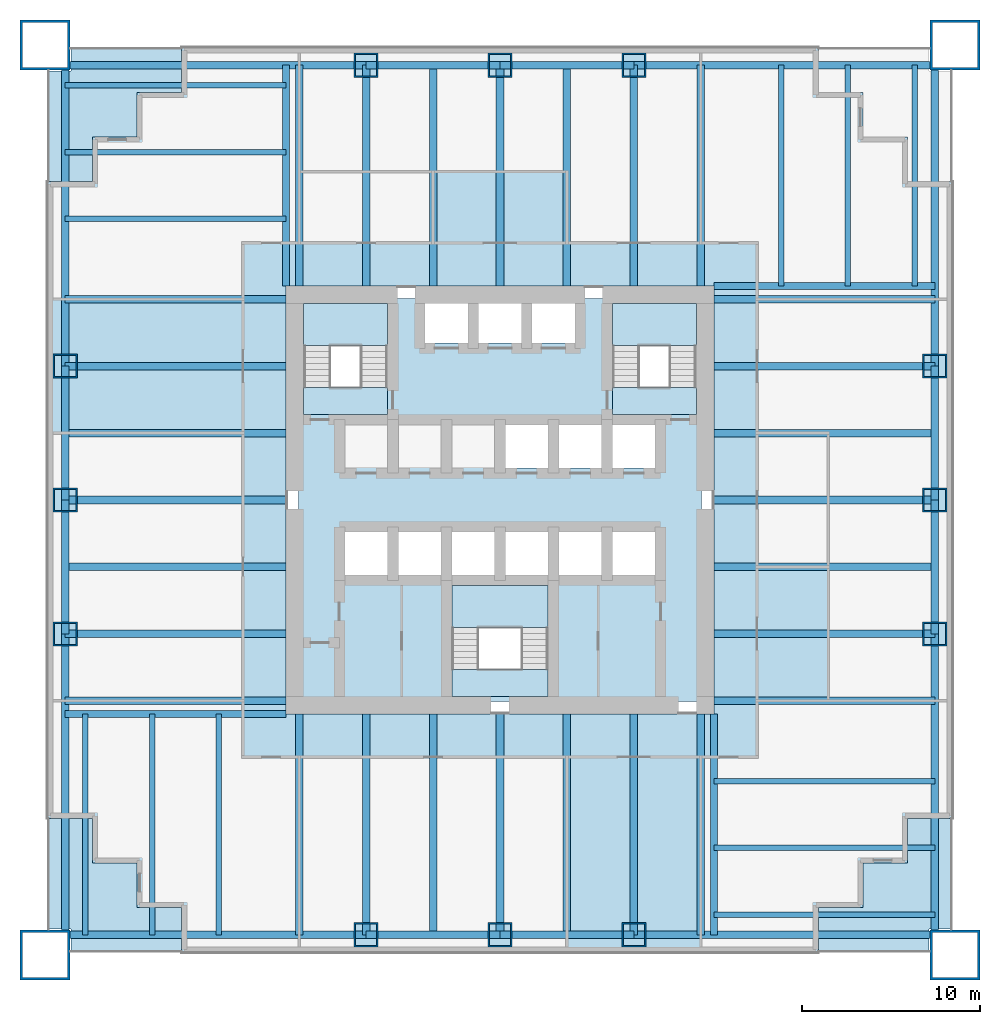
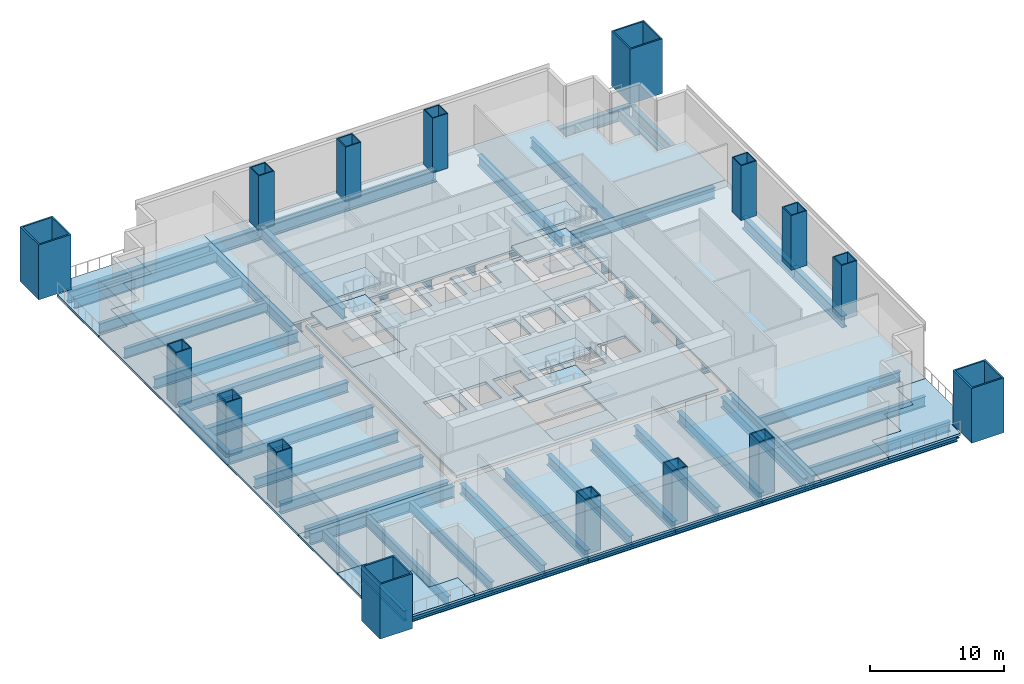
# One storey, part 1 of 6: 60 beams, 20 slabs, 16 columns, 3 elements without a shape of their own.
"""IFC4 building model written with IfcOpenShell, lengths in metres."""

from ifc_helpers import new_model, si_unit, direction, frame, origin, origin_2d, place, context, subcontext, project, spatial, polyline, hollow_rectangle, i_section, outline, extrude, material, layer, layer_set, material_profile, profile_set, type_object, element, aggregate, save


model = new_model("IFC4")

# Units and contexts
model_context = context("Model", 3, precision=1e-05, world=origin(), true_north=direction((0.0, 1.0)))
body_context = subcontext(model_context, "Body", "Model", "MODEL_VIEW")
ifc_project = project(units=[si_unit("LENGTHUNIT", "METRE"), si_unit("AREAUNIT", "SQUARE_METRE"), si_unit("VOLUMEUNIT", "CUBIC_METRE"), si_unit("PLANEANGLEUNIT", "RADIAN"), si_unit("MASSUNIT", "GRAM", prefix="KILO")], contexts=[model_context])

# Site, building, storey
site_placement = place(None, origin())
site = spatial("IfcSite", under=ifc_project, at=site_placement, CompositionType="ELEMENT")
building_placement = place(site_placement, origin())
building = spatial("IfcBuilding", under=site, at=building_placement, Name="Tarangal Relay Tower", CompositionType="ELEMENT")
storey_placement = place(building_placement, frame((0.0, 0.0, 53.39990234375)))
storey = spatial("IfcBuildingStorey", under=building, at=storey_placement, Name="L10", CompositionType="ELEMENT", Elevation=53.39990234375)

# Columns
ifc_material_1 = material(Name="Steel ASTM A572 Grade 42", Category="steel")
ifc_material_profile_1 = material_profile(ifc_material_1, hollow_rectangle(XDim=2.800048828125, YDim=2.800048828125, WallThickness=0.139892578125, at=origin_2d()), Name="BOX2800X2800X140")
ifc_profile_set_1 = profile_set([ifc_material_profile_1], Name="Steel ASTM A572 Grade 42")
column_type_1 = type_object("IfcColumnType", Name="Mega column BOX2800X2800X140", PredefinedType="COLUMN", material=ifc_profile_set_1)
for number, where, z_axis, x_axis, name in (
    (1, (25.5, 25.5, 0.0), (0.0, 0.0, 1.0), (1.0, 0.0, 0.0), "Mega column MC1 NE L10"),
    (2, (25.5, -25.5, 0.0), (0.0, 0.0, 1.0), (1.0, 0.0, 0.0), "Mega column MC1 SE L10"),
    (3, (-25.5, -25.5, 0.0), (0.0, 0.0, 1.0), (1.0, 0.0, 0.0), "Mega column MC1 SW L10"),
    (4, (-25.5, 25.5, 0.0), (0.0, 0.0, 1.0), (1.0, 0.0, 0.0), "Mega column MC1 NW L10"),
):
    element("IfcColumn", number, at=place(storey_placement, frame(where, z_axis=z_axis, x_axis=x_axis)), inside=storey, type_object=column_type_1, Name=name, PredefinedType="COLUMN", context=body_context, shape_type="SweptSolid", body=[
        extrude(hollow_rectangle(XDim=2.800048828125, YDim=2.800048828125, WallThickness=0.139892578125, at=origin_2d()), origin(), (0.0, 0.0, 1.0), 5.0),
    ])
ifc_material_2 = material(Name="Steel ASTM A572 Grade 50", Category="steel")
ifc_material_profile_2 = material_profile(ifc_material_2, hollow_rectangle(XDim=1.35009765625, YDim=1.35009765625, WallThickness=0.0849609375, at=origin_2d()), Name="BOX1350X1350X85")
ifc_profile_set_2 = profile_set([ifc_material_profile_2], Name="Steel ASTM A572 Grade 50")
column_type_2 = type_object("IfcColumnType", Name="Perimeter column BOX1350X1350X85", PredefinedType="COLUMN", material=ifc_profile_set_2)
for number, where, z_axis, x_axis, name in (
    (5, (-7.5, 24.364990234375, 0.0), (0.0, 0.0, 1.0), (1.0, 0.0, 0.0), "Perimeter column PC2 N L10"),
    (6, (0.0, 24.364990234375, 0.0), (0.0, 0.0, 1.0), (1.0, 0.0, 0.0), "Perimeter column PC2 N L10"),
    (7, (7.5, 24.364990234375, 0.0), (0.0, 0.0, 1.0), (1.0, 0.0, 0.0), "Perimeter column PC2 N L10"),
    (8, (24.364990234375, 7.5, 0.0), (0.0, 0.0, 1.0), (1.0, 0.0, 0.0), "Perimeter column PC2 E L10"),
    (9, (24.364990234375, 0.0, 0.0), (0.0, 0.0, 1.0), (1.0, 0.0, 0.0), "Perimeter column PC2 E L10"),
    (10, (24.364990234375, -7.5, 0.0), (0.0, 0.0, 1.0), (1.0, 0.0, 0.0), "Perimeter column PC2 E L10"),
    (11, (7.5, -24.364990234375, 0.0), (0.0, 0.0, 1.0), (1.0, 0.0, 0.0), "Perimeter column PC2 S L10"),
    (12, (0.0, -24.364990234375, 0.0), (0.0, 0.0, 1.0), (1.0, 0.0, 0.0), "Perimeter column PC2 S L10"),
    (13, (-7.5, -24.364990234375, 0.0), (0.0, 0.0, 1.0), (1.0, 0.0, 0.0), "Perimeter column PC2 S L10"),
    (14, (-24.364990234375, -7.5, 0.0), (0.0, 0.0, 1.0), (1.0, 0.0, 0.0), "Perimeter column PC2 W L10"),
    (15, (-24.364990234375, 0.0, 0.0), (0.0, 0.0, 1.0), (1.0, 0.0, 0.0), "Perimeter column PC2 W L10"),
    (16, (-24.364990234375, 7.5, 0.0), (0.0, 0.0, 1.0), (1.0, 0.0, 0.0), "Perimeter column PC2 W L10"),
):
    element("IfcColumn", number, at=place(storey_placement, frame(where, z_axis=z_axis, x_axis=x_axis)), inside=storey, type_object=column_type_2, Name=name, PredefinedType="COLUMN", context=body_context, shape_type="SweptSolid", body=[
        extrude(hollow_rectangle(XDim=1.35009765625, YDim=1.35009765625, WallThickness=0.0849609375, at=origin_2d()), origin(), (0.0, 0.0, 1.0), 5.0),
    ])

# Beams
ifc_material_3 = material(Name="Steel ASTM A992", Category="steel")
ifc_material_profile_3 = material_profile(ifc_material_3, i_section(OverallWidth=0.307373046875, OverallDepth=0.927001953125, WebThickness=0.019287109375, FlangeThickness=0.031982421875, at=origin_2d()), Name="W36X194")
ifc_profile_set_3 = profile_set([ifc_material_profile_3], Name="Steel ASTM A992")
beam_type_1 = type_object("IfcBeamType", Name="Corner beam W36X194", PredefinedType="JOIST", material=ifc_profile_set_3)
for number, where, z_axis, x_axis, name in (
    (17, (15.75, 12.0, -0.66357421875), (0.0, 1.0, 0.0), (-1.0, 0.0, 0.0), "Corner beam CB10 N L10"),
    (18, (19.5, 12.0, -0.66357421875), (0.0, 1.0, 0.0), (-1.0, 0.0, 0.0), "Corner beam CB10 N L10"),
    (19, (23.25, 12.0, -0.66357421875), (0.0, 1.0, 0.0), (-1.0, 0.0, 0.0), "Corner beam CB10 N L10"),
    (20, (12.0, -15.75, -0.66357421875), (1.0, 0.0, 0.0), (0.0, 1.0, 0.0), "Corner beam CB10 E L10"),
    (21, (12.0, -19.5, -0.66357421875), (1.0, 0.0, 0.0), (0.0, 1.0, 0.0), "Corner beam CB10 E L10"),
    (22, (12.0, -23.25, -0.66357421875), (1.0, 0.0, 0.0), (0.0, 1.0, 0.0), "Corner beam CB10 E L10"),
    (23, (-15.75, -12.0, -0.66357421875), (0.0, -1.0, 0.0), (1.0, 0.0, 0.0), "Corner beam CB10 S L10"),
    (24, (-19.5, -12.0, -0.66357421875), (0.0, -1.0, 0.0), (1.0, 0.0, 0.0), "Corner beam CB10 S L10"),
    (25, (-23.25, -12.0, -0.66357421875), (0.0, -1.0, 0.0), (1.0, 0.0, 0.0), "Corner beam CB10 S L10"),
    (26, (-12.0, 15.75, -0.66357421875), (-1.0, 0.0, 0.0), (0.0, -1.0, 0.0), "Corner beam CB10 W L10"),
    (27, (-12.0, 19.5, -0.66357421875), (-1.0, 0.0, 0.0), (0.0, -1.0, 0.0), "Corner beam CB10 W L10"),
    (28, (-12.0, 23.25, -0.66357421875), (-1.0, 0.0, 0.0), (0.0, -1.0, 0.0), "Corner beam CB10 W L10"),
):
    element("IfcBeam", number, at=place(storey_placement, frame(where, z_axis=z_axis, x_axis=x_axis)), inside=storey, type_object=beam_type_1, Name=name, PredefinedType="JOIST", context=body_context, shape_type="SweptSolid", body=[
        extrude(i_section(OverallWidth=0.307373046875, OverallDepth=0.927001953125, WebThickness=0.019287109375, FlangeThickness=0.031982421875, at=origin_2d()), origin(), (0.0, 0.0, 1.0), 12.364990234375),
    ])
ifc_material_profile_4 = material_profile(ifc_material_3, i_section(OverallWidth=0.40380859375, OverallDepth=1.036376953125, WebThickness=0.031005859375, FlangeThickness=0.0458984375, at=origin_2d()), Name="W40X331")
ifc_profile_set_4 = profile_set([ifc_material_profile_4], Name="Steel ASTM A992")
beam_type_2 = type_object("IfcBeamType", Name="Corner girder W40X331", PredefinedType="BEAM", material=ifc_profile_set_4)
for number, where, z_axis, x_axis, name in (
    (29, (12.0, 12.0, -0.718017578125), (1.0, 0.0, 0.0), (0.0, 1.0, 0.0), "Corner girder CG2 N L10"),
    (30, (12.0, -12.0, -0.718017578125), (0.0, -1.0, 0.0), (1.0, 0.0, 0.0), "Corner girder CG2 E L10"),
    (31, (-12.0, -12.0, -0.718017578125), (-1.0, 0.0, 0.0), (0.0, -1.0, 0.0), "Corner girder CG2 S L10"),
    (32, (-12.0, 12.0, -0.718017578125), (0.0, 1.0, 0.0), (-1.0, 0.0, 0.0), "Corner girder CG2 W L10"),
):
    element("IfcBeam", number, at=place(storey_placement, frame(where, z_axis=z_axis, x_axis=x_axis)), inside=storey, type_object=beam_type_2, Name=name, PredefinedType="BEAM", context=body_context, shape_type="SweptSolid", body=[
        extrude(i_section(OverallWidth=0.40380859375, OverallDepth=1.036376953125, WebThickness=0.031005859375, FlangeThickness=0.0458984375, at=origin_2d()), origin(), (0.0, 0.0, 1.0), 12.364990234375),
    ])
ifc_material_profile_5 = material_profile(ifc_material_3, i_section(OverallWidth=0.42431640625, OverallDepth=1.09228515625, WebThickness=0.04541015625, FlangeThickness=0.08203125, at=origin_2d()), Name="W40X593")
ifc_profile_set_5 = profile_set([ifc_material_profile_5], Name="Steel ASTM A992")
beam_type_3 = type_object("IfcBeamType", Name="Edge girder W40X593", PredefinedType="SPANDREL", material=ifc_profile_set_5)
beam_1_placement = place(storey_placement, frame((-24.25, 24.364990234375, -0.74609375), z_axis=(1.0, 0.0, 0.0), x_axis=(0.0, 1.0, 0.0)))
element("IfcBeam", 33, at=beam_1_placement, inside=storey, type_object=beam_type_3, Name="Edge girder EG9 N L10", PredefinedType="SPANDREL", context=body_context, shape_type="SweptSolid", body=[
    extrude(i_section(OverallWidth=0.42431640625, OverallDepth=1.09228515625, WebThickness=0.04541015625, FlangeThickness=0.08203125, at=origin_2d()), origin(), (0.0, 0.0, 1.0), 16.75),
])
for number, where, z_axis, x_axis, name in (
    (34, (-7.5, 24.364990234375, -0.74609375), (1.0, 0.0, 0.0), (0.0, 1.0, 0.0), "Edge girder EG9 N L10"),
    (35, (0.0, 24.364990234375, -0.74609375), (1.0, 0.0, 0.0), (0.0, 1.0, 0.0), "Edge girder EG9 N L10"),
):
    element("IfcBeam", number, at=place(storey_placement, frame(where, z_axis=z_axis, x_axis=x_axis)), inside=storey, type_object=beam_type_3, Name=name, PredefinedType="SPANDREL", context=body_context, shape_type="SweptSolid", body=[
        extrude(i_section(OverallWidth=0.42431640625, OverallDepth=1.09228515625, WebThickness=0.04541015625, FlangeThickness=0.08203125, at=origin_2d()), origin(), (0.0, 0.0, 1.0), 7.5),
    ])
for number, where, z_axis, x_axis, name in (
    (36, (7.5, 24.364990234375, -0.74609375), (1.0, 0.0, 0.0), (0.0, 1.0, 0.0), "Edge girder EG9 N L10"),
    (37, (24.364990234375, 24.25, -0.74609375), (0.0, -1.0, 0.0), (1.0, 0.0, 0.0), "Edge girder EG9 E L10"),
):
    element("IfcBeam", number, at=place(storey_placement, frame(where, z_axis=z_axis, x_axis=x_axis)), inside=storey, type_object=beam_type_3, Name=name, PredefinedType="SPANDREL", context=body_context, shape_type="SweptSolid", body=[
        extrude(i_section(OverallWidth=0.42431640625, OverallDepth=1.09228515625, WebThickness=0.04541015625, FlangeThickness=0.08203125, at=origin_2d()), origin(), (0.0, 0.0, 1.0), 16.75),
    ])
for number, where, z_axis, x_axis, name in (
    (38, (24.364990234375, 7.5, -0.74609375), (0.0, -1.0, 0.0), (1.0, 0.0, 0.0), "Edge girder EG9 E L10"),
    (39, (24.364990234375, 0.0, -0.74609375), (0.0, -1.0, 0.0), (1.0, 0.0, 0.0), "Edge girder EG9 E L10"),
):
    element("IfcBeam", number, at=place(storey_placement, frame(where, z_axis=z_axis, x_axis=x_axis)), inside=storey, type_object=beam_type_3, Name=name, PredefinedType="SPANDREL", context=body_context, shape_type="SweptSolid", body=[
        extrude(i_section(OverallWidth=0.42431640625, OverallDepth=1.09228515625, WebThickness=0.04541015625, FlangeThickness=0.08203125, at=origin_2d()), origin(), (0.0, 0.0, 1.0), 7.5),
    ])
for number, where, z_axis, x_axis, name in (
    (40, (24.364990234375, -7.5, -0.74609375), (0.0, -1.0, 0.0), (1.0, 0.0, 0.0), "Edge girder EG9 E L10"),
    (41, (24.25, -24.364990234375, -0.74609375), (-1.0, 0.0, 0.0), (0.0, -1.0, 0.0), "Edge girder EG9 S L10"),
):
    element("IfcBeam", number, at=place(storey_placement, frame(where, z_axis=z_axis, x_axis=x_axis)), inside=storey, type_object=beam_type_3, Name=name, PredefinedType="SPANDREL", context=body_context, shape_type="SweptSolid", body=[
        extrude(i_section(OverallWidth=0.42431640625, OverallDepth=1.09228515625, WebThickness=0.04541015625, FlangeThickness=0.08203125, at=origin_2d()), origin(), (0.0, 0.0, 1.0), 16.75),
    ])
for number, where, z_axis, x_axis, name in (
    (42, (7.5, -24.364990234375, -0.74609375), (-1.0, 0.0, 0.0), (0.0, -1.0, 0.0), "Edge girder EG9 S L10"),
    (43, (0.0, -24.364990234375, -0.74609375), (-1.0, 0.0, 0.0), (0.0, -1.0, 0.0), "Edge girder EG9 S L10"),
):
    element("IfcBeam", number, at=place(storey_placement, frame(where, z_axis=z_axis, x_axis=x_axis)), inside=storey, type_object=beam_type_3, Name=name, PredefinedType="SPANDREL", context=body_context, shape_type="SweptSolid", body=[
        extrude(i_section(OverallWidth=0.42431640625, OverallDepth=1.09228515625, WebThickness=0.04541015625, FlangeThickness=0.08203125, at=origin_2d()), origin(), (0.0, 0.0, 1.0), 7.5),
    ])
for number, where, z_axis, x_axis, name in (
    (44, (-7.5, -24.364990234375, -0.74609375), (-1.0, 0.0, 0.0), (0.0, -1.0, 0.0), "Edge girder EG9 S L10"),
    (45, (-24.364990234375, -24.25, -0.74609375), (0.0, 1.0, 0.0), (-1.0, 0.0, 0.0), "Edge girder EG9 W L10"),
):
    element("IfcBeam", number, at=place(storey_placement, frame(where, z_axis=z_axis, x_axis=x_axis)), inside=storey, type_object=beam_type_3, Name=name, PredefinedType="SPANDREL", context=body_context, shape_type="SweptSolid", body=[
        extrude(i_section(OverallWidth=0.42431640625, OverallDepth=1.09228515625, WebThickness=0.04541015625, FlangeThickness=0.08203125, at=origin_2d()), origin(), (0.0, 0.0, 1.0), 16.75),
    ])
for number, where, z_axis, x_axis, name in (
    (46, (-24.364990234375, -7.5, -0.74609375), (0.0, 1.0, 0.0), (-1.0, 0.0, 0.0), "Edge girder EG9 W L10"),
    (47, (-24.364990234375, 0.0, -0.74609375), (0.0, 1.0, 0.0), (-1.0, 0.0, 0.0), "Edge girder EG9 W L10"),
):
    element("IfcBeam", number, at=place(storey_placement, frame(where, z_axis=z_axis, x_axis=x_axis)), inside=storey, type_object=beam_type_3, Name=name, PredefinedType="SPANDREL", context=body_context, shape_type="SweptSolid", body=[
        extrude(i_section(OverallWidth=0.42431640625, OverallDepth=1.09228515625, WebThickness=0.04541015625, FlangeThickness=0.08203125, at=origin_2d()), origin(), (0.0, 0.0, 1.0), 7.5),
    ])
beam_2_placement = place(storey_placement, frame((-24.364990234375, 7.5, -0.74609375), z_axis=(0.0, 1.0, 0.0), x_axis=(-1.0, 0.0, 0.0)))
element("IfcBeam", 48, at=beam_2_placement, inside=storey, type_object=beam_type_3, Name="Edge girder EG9 W L10", PredefinedType="SPANDREL", context=body_context, shape_type="SweptSolid", body=[
    extrude(i_section(OverallWidth=0.42431640625, OverallDepth=1.09228515625, WebThickness=0.04541015625, FlangeThickness=0.08203125, at=origin_2d()), origin(), (0.0, 0.0, 1.0), 16.75),
])
ifc_material_profile_6 = material_profile(ifc_material_3, i_section(OverallWidth=0.42431640625, OverallDepth=0.947509765625, WebThickness=0.02392578125, FlangeThickness=0.042724609375, at=origin_2d()), Name="W36X302")
ifc_profile_set_6 = profile_set([ifc_material_profile_6], Name="Steel ASTM A992")
beam_type_4 = type_object("IfcBeamType", Name="Floor beam W36X302", PredefinedType="BEAM", material=ifc_profile_set_6)
for number, where, z_axis, x_axis, name in (
    (49, (-11.25, 12.0, -0.673583984375), (0.0, 1.0, 0.0), (-1.0, 0.0, 0.0), "Floor beam RB10 N L10"),
    (50, (-7.5, 12.0, -0.673583984375), (0.0, 1.0, 0.0), (-1.0, 0.0, 0.0), "Floor beam RB10 N L10"),
    (51, (-3.75, 12.0, -0.673583984375), (0.0, 1.0, 0.0), (-1.0, 0.0, 0.0), "Floor beam RB10 N L10"),
    (52, (0.0, 12.0, -0.673583984375), (0.0, 1.0, 0.0), (-1.0, 0.0, 0.0), "Floor beam RB10 N L10"),
    (53, (3.75, 12.0, -0.673583984375), (0.0, 1.0, 0.0), (-1.0, 0.0, 0.0), "Floor beam RB10 N L10"),
    (54, (7.5, 12.0, -0.673583984375), (0.0, 1.0, 0.0), (-1.0, 0.0, 0.0), "Floor beam RB10 N L10"),
    (55, (11.25, 12.0, -0.673583984375), (0.0, 1.0, 0.0), (-1.0, 0.0, 0.0), "Floor beam RB10 N L10"),
    (56, (12.0, 11.25, -0.673583984375), (1.0, 0.0, 0.0), (0.0, 1.0, 0.0), "Floor beam RB10 E L10"),
    (57, (12.0, 7.5, -0.673583984375), (1.0, 0.0, 0.0), (0.0, 1.0, 0.0), "Floor beam RB10 E L10"),
    (58, (12.0, 3.75, -0.673583984375), (1.0, 0.0, 0.0), (0.0, 1.0, 0.0), "Floor beam RB10 E L10"),
    (59, (12.0, 0.0, -0.673583984375), (1.0, 0.0, 0.0), (0.0, 1.0, 0.0), "Floor beam RB10 E L10"),
    (60, (12.0, -3.75, -0.673583984375), (1.0, 0.0, 0.0), (0.0, 1.0, 0.0), "Floor beam RB10 E L10"),
    (61, (12.0, -7.5, -0.673583984375), (1.0, 0.0, 0.0), (0.0, 1.0, 0.0), "Floor beam RB10 E L10"),
    (62, (12.0, -11.25, -0.673583984375), (1.0, 0.0, 0.0), (0.0, 1.0, 0.0), "Floor beam RB10 E L10"),
    (63, (11.25, -12.0, -0.673583984375), (0.0, -1.0, 0.0), (1.0, 0.0, 0.0), "Floor beam RB10 S L10"),
    (64, (7.5, -12.0, -0.673583984375), (0.0, -1.0, 0.0), (1.0, 0.0, 0.0), "Floor beam RB10 S L10"),
    (65, (3.75, -12.0, -0.673583984375), (0.0, -1.0, 0.0), (1.0, 0.0, 0.0), "Floor beam RB10 S L10"),
    (66, (0.0, -12.0, -0.673583984375), (0.0, -1.0, 0.0), (1.0, 0.0, 0.0), "Floor beam RB10 S L10"),
    (67, (-3.75, -12.0, -0.673583984375), (0.0, -1.0, 0.0), (1.0, 0.0, 0.0), "Floor beam RB10 S L10"),
    (68, (-7.5, -12.0, -0.673583984375), (0.0, -1.0, 0.0), (1.0, 0.0, 0.0), "Floor beam RB10 S L10"),
    (69, (-11.25, -12.0, -0.673583984375), (0.0, -1.0, 0.0), (1.0, 0.0, 0.0), "Floor beam RB10 S L10"),
    (70, (-12.0, -11.25, -0.673583984375), (-1.0, 0.0, 0.0), (0.0, -1.0, 0.0), "Floor beam RB10 W L10"),
    (71, (-12.0, -7.5, -0.673583984375), (-1.0, 0.0, 0.0), (0.0, -1.0, 0.0), "Floor beam RB10 W L10"),
    (72, (-12.0, -3.75, -0.673583984375), (-1.0, 0.0, 0.0), (0.0, -1.0, 0.0), "Floor beam RB10 W L10"),
    (73, (-12.0, 0.0, -0.673583984375), (-1.0, 0.0, 0.0), (0.0, -1.0, 0.0), "Floor beam RB10 W L10"),
    (74, (-12.0, 3.75, -0.673583984375), (-1.0, 0.0, 0.0), (0.0, -1.0, 0.0), "Floor beam RB10 W L10"),
    (75, (-12.0, 7.5, -0.673583984375), (-1.0, 0.0, 0.0), (0.0, -1.0, 0.0), "Floor beam RB10 W L10"),
    (76, (-12.0, 11.25, -0.673583984375), (-1.0, 0.0, 0.0), (0.0, -1.0, 0.0), "Floor beam RB10 W L10"),
):
    element("IfcBeam", number, at=place(storey_placement, frame(where, z_axis=z_axis, x_axis=x_axis)), inside=storey, type_object=beam_type_4, Name=name, PredefinedType="BEAM", context=body_context, shape_type="SweptSolid", body=[
        extrude(i_section(OverallWidth=0.42431640625, OverallDepth=0.947509765625, WebThickness=0.02392578125, FlangeThickness=0.042724609375, at=origin_2d()), origin(), (0.0, 0.0, 1.0), 12.364990234375),
    ])

# Slabs
ifc_material_4 = material(Name="Concrete fc' 35 MPa", Category="concrete")
ifc_layer_1 = layer(ifc_material_4, 0.25)
ifc_layer_set_1 = layer_set([ifc_layer_1], Name="Core floor slab 250")
slab_type_1 = type_object("IfcSlabType", Name="Core floor slab 250", PredefinedType="FLOOR", material=ifc_layer_set_1)
slab_1_placement = place(storey_placement, frame((0.0, 0.0, -0.25)))
element("IfcSlab", 77, at=slab_1_placement, inside=storey, type_object=slab_type_1, Name="Core floor slab L10", PredefinedType="FLOOR", context=body_context, shape_type="SweptSolid", body=[
    extrude(outline(polyline([(11.300048828125, 11.300048828125), (11.300048828125, -11.300048828125), (-11.300048828125, -11.300048828125), (-11.300048828125, 11.300048828125), (-4.199951171875, 11.300048828125), (-4.199951171875, 8.800048828125), (-1.800048828125, 8.800048828125), (-1.800048828125, 11.300048828125), (-1.199951171875, 11.300048828125), (-1.199951171875, 8.800048828125), (1.199951171875, 8.800048828125), (1.199951171875, 11.300048828125), (1.800048828125, 11.300048828125), (1.800048828125, 8.800048828125), (4.199951171875, 8.800048828125), (4.199951171875, 11.300048828125), (11.300048828125, 11.300048828125)]), holes=[polyline([(2.699951171875, -4.800048828125), (-2.699951171875, -4.800048828125), (-2.699951171875, -11.0), (2.699951171875, -11.0), (2.699951171875, -4.800048828125)]), polyline([(-6.300048828125, -4.199951171875), (-6.300048828125, -1.800048828125), (-8.699951171875, -1.800048828125), (-8.699951171875, -4.199951171875), (-6.300048828125, -4.199951171875)]), polyline([(-3.300048828125, -4.199951171875), (-3.300048828125, -1.800048828125), (-5.699951171875, -1.800048828125), (-5.699951171875, -4.199951171875), (-3.300048828125, -4.199951171875)]), polyline([(-0.300048828125, -4.199951171875), (-0.300048828125, -1.800048828125), (-2.699951171875, -1.800048828125), (-2.699951171875, -4.199951171875), (-0.300048828125, -4.199951171875)]), polyline([(2.699951171875, 1.800048828125), (2.699951171875, 4.199951171875), (0.300048828125, 4.199951171875), (0.300048828125, 1.800048828125), (2.699951171875, 1.800048828125)]), polyline([(-6.300048828125, 4.800048828125), (-6.300048828125, 11.0), (-11.0, 11.0), (-11.0, 4.800048828125), (-6.300048828125, 4.800048828125)]), polyline([(2.699951171875, -4.199951171875), (2.699951171875, -1.800048828125), (0.300048828125, -1.800048828125), (0.300048828125, -4.199951171875), (2.699951171875, -4.199951171875)]), polyline([(5.699951171875, -4.199951171875), (5.699951171875, -1.800048828125), (3.300048828125, -1.800048828125), (3.300048828125, -4.199951171875), (5.699951171875, -4.199951171875)]), polyline([(8.699951171875, -4.199951171875), (8.699951171875, -1.800048828125), (6.300048828125, -1.800048828125), (6.300048828125, -4.199951171875), (8.699951171875, -4.199951171875)]), polyline([(5.699951171875, 1.800048828125), (5.699951171875, 4.199951171875), (3.300048828125, 4.199951171875), (3.300048828125, 1.800048828125), (5.699951171875, 1.800048828125)]), polyline([(8.699951171875, 1.800048828125), (8.699951171875, 4.199951171875), (6.300048828125, 4.199951171875), (6.300048828125, 1.800048828125), (8.699951171875, 1.800048828125)]), polyline([(11.0, 4.800048828125), (11.0, 11.0), (6.300048828125, 11.0), (6.300048828125, 4.800048828125), (11.0, 4.800048828125)])]), origin(), (0.0, 0.0, 1.0), 0.25),
])
ifc_layer_2 = layer(ifc_material_4, 0.199951171875)
ifc_layer_set_2 = layer_set([ifc_layer_2], Name="Floor slab 200")
slab_type_2 = type_object("IfcSlabType", Name="Floor slab 200", PredefinedType="FLOOR", material=ifc_layer_set_2)
slab_2_placement = place(storey_placement, frame((0.0, 0.0, -0.199951171875)))
element("IfcSlab", 78, at=slab_2_placement, inside=storey, type_object=slab_type_2, Name="Floor slab FS2 L10 north bay", PredefinedType="FLOOR", context=body_context, shape_type="SweptSolid", body=[
    extrude(outline(polyline([(17.85009765625, 25.35009765625), (17.85009765625, 22.85009765625), (20.35009765625, 22.85009765625), (20.35009765625, 20.35009765625), (22.85009765625, 20.35009765625), (22.85009765625, 17.85009765625), (25.35009765625, 17.85009765625), (25.35009765625, 12.0), (-12.0, 12.0), (-12.0, 25.35009765625), (17.85009765625, 25.35009765625)])), origin(), (0.0, 0.0, 1.0), 0.199951171875),
])
slab_3_placement = place(storey_placement, frame((0.0, 0.0, -0.199951171875)))
element("IfcSlab", 79, at=slab_3_placement, inside=storey, type_object=slab_type_2, Name="Floor slab FS2 L10 east bay", PredefinedType="FLOOR", context=body_context, shape_type="SweptSolid", body=[
    extrude(outline(polyline([(25.35009765625, -17.85009765625), (22.85009765625, -17.85009765625), (22.85009765625, -20.35009765625), (20.35009765625, -20.35009765625), (20.35009765625, -22.85009765625), (17.85009765625, -22.85009765625), (17.85009765625, -25.35009765625), (12.0, -25.35009765625), (12.0, 12.0), (25.35009765625, 12.0), (25.35009765625, -17.85009765625)])), origin(), (0.0, 0.0, 1.0), 0.199951171875),
])
slab_4_placement = place(storey_placement, frame((0.0, 0.0, -0.199951171875)))
element("IfcSlab", 80, at=slab_4_placement, inside=storey, type_object=slab_type_2, Name="Floor slab FS2 L10 south bay", PredefinedType="FLOOR", context=body_context, shape_type="SweptSolid", body=[
    extrude(outline(polyline([(-17.85009765625, -25.35009765625), (-17.85009765625, -22.85009765625), (-20.35009765625, -22.85009765625), (-20.35009765625, -20.35009765625), (-22.85009765625, -20.35009765625), (-22.85009765625, -17.85009765625), (-25.35009765625, -17.85009765625), (-25.35009765625, -12.0), (12.0, -12.0), (12.0, -25.35009765625), (-17.85009765625, -25.35009765625)])), origin(), (0.0, 0.0, 1.0), 0.199951171875),
])
slab_5_placement = place(storey_placement, frame((0.0, 0.0, -0.199951171875)))
element("IfcSlab", 81, at=slab_5_placement, inside=storey, type_object=slab_type_2, Name="Floor slab FS2 L10 west bay", PredefinedType="FLOOR", context=body_context, shape_type="SweptSolid", body=[
    extrude(outline(polyline([(-12.0, 25.35009765625), (-12.0, -12.0), (-25.35009765625, -12.0), (-25.35009765625, 17.85009765625), (-22.85009765625, 17.85009765625), (-22.85009765625, 20.35009765625), (-20.35009765625, 20.35009765625), (-20.35009765625, 22.85009765625), (-17.85009765625, 22.85009765625), (-17.85009765625, 25.35009765625), (-12.0, 25.35009765625)])), origin(), (0.0, 0.0, 1.0), 0.199951171875),
])

# Stair, slabs
ifc_material_5 = material(Name="Steel ASTM A992 stair flight", Category="steel")
stair_type = type_object("IfcStairType", Name="Core stair 1500", PredefinedType="HALF_TURN_STAIR", material=ifc_material_5)
stair_1_placement = place(storey_placement, origin())
stair_1 = element("IfcStair", 82, at=stair_1_placement, inside=storey, type_object=stair_type, Name="Stair ST-A L10", PredefinedType="HALF_TURN_STAIR")
ifc_layer_3 = layer(ifc_material_4, 0.199951171875)
ifc_layer_set_3 = layer_set([ifc_layer_3], Name="Stair landing 200")
slab_type_3 = type_object("IfcSlabType", Name="Stair landing 200", PredefinedType="LANDING", material=ifc_layer_set_3)
slab_6_placement = place(storey_placement, frame((0.0, 0.0, -0.199951171875)))
slab_6 = element("IfcSlab", 83, at=slab_6_placement, type_object=slab_type_3, Name="ST-A landing 1", PredefinedType="LANDING", context=body_context, shape_type="SweptSolid", body=[
    extrude(outline(polyline([(-11.0, 4.800048828125), (-6.300048828125, 4.800048828125), (-6.300048828125, 6.300048828125), (-11.0, 6.300048828125), (-11.0, 4.800048828125)])), origin(), (0.0, 0.0, 1.0), 0.199951171875),
])
slab_7_placement = place(storey_placement, frame((0.0, 0.0, 1.050048828125)))
slab_7 = element("IfcSlab", 84, at=slab_7_placement, type_object=slab_type_3, Name="ST-A landing 2", PredefinedType="LANDING", context=body_context, shape_type="SweptSolid", body=[
    extrude(outline(polyline([(-11.0, 8.64501953125), (-6.300048828125, 8.64501953125), (-6.300048828125, 11.0), (-11.0, 11.0), (-11.0, 8.64501953125)])), origin(), (0.0, 0.0, 1.0), 0.199951171875),
])
slab_8_placement = place(storey_placement, frame((0.0, 0.0, 2.300048828125)))
slab_8 = element("IfcSlab", 85, at=slab_8_placement, type_object=slab_type_3, Name="ST-A landing 3", PredefinedType="LANDING", context=body_context, shape_type="SweptSolid", body=[
    extrude(outline(polyline([(-11.0, 4.800048828125), (-6.300048828125, 4.800048828125), (-6.300048828125, 6.300048828125), (-11.0, 6.300048828125), (-11.0, 4.800048828125)])), origin(), (0.0, 0.0, 1.0), 0.199951171875),
])
slab_9_placement = place(storey_placement, frame((0.0, 0.0, 3.550048828125)))
slab_9 = element("IfcSlab", 86, at=slab_9_placement, type_object=slab_type_3, Name="ST-A landing 4", PredefinedType="LANDING", context=body_context, shape_type="SweptSolid", body=[
    extrude(outline(polyline([(-11.0, 8.64501953125), (-6.300048828125, 8.64501953125), (-6.300048828125, 11.0), (-11.0, 11.0), (-11.0, 8.64501953125)])), origin(), (0.0, 0.0, 1.0), 0.199951171875),
])
aggregate(stair_1, [slab_6, slab_7, slab_8, slab_9])

stair_2_placement = place(storey_placement, origin())
stair_2 = element("IfcStair", 87, at=stair_2_placement, inside=storey, type_object=stair_type, Name="Stair ST-B L10", PredefinedType="HALF_TURN_STAIR")
slab_10_placement = place(storey_placement, frame((0.0, 0.0, -0.199951171875)))
slab_10 = element("IfcSlab", 88, at=slab_10_placement, type_object=slab_type_3, Name="ST-B landing 1", PredefinedType="LANDING", context=body_context, shape_type="SweptSolid", body=[
    extrude(outline(polyline([(6.300048828125, 4.800048828125), (11.0, 4.800048828125), (11.0, 6.300048828125), (6.300048828125, 6.300048828125), (6.300048828125, 4.800048828125)])), origin(), (0.0, 0.0, 1.0), 0.199951171875),
])
slab_11_placement = place(storey_placement, frame((0.0, 0.0, 1.050048828125)))
slab_11 = element("IfcSlab", 89, at=slab_11_placement, type_object=slab_type_3, Name="ST-B landing 2", PredefinedType="LANDING", context=body_context, shape_type="SweptSolid", body=[
    extrude(outline(polyline([(6.300048828125, 8.64501953125), (11.0, 8.64501953125), (11.0, 11.0), (6.300048828125, 11.0), (6.300048828125, 8.64501953125)])), origin(), (0.0, 0.0, 1.0), 0.199951171875),
])
slab_12_placement = place(storey_placement, frame((0.0, 0.0, 2.300048828125)))
slab_12 = element("IfcSlab", 90, at=slab_12_placement, type_object=slab_type_3, Name="ST-B landing 3", PredefinedType="LANDING", context=body_context, shape_type="SweptSolid", body=[
    extrude(outline(polyline([(6.300048828125, 4.800048828125), (11.0, 4.800048828125), (11.0, 6.300048828125), (6.300048828125, 6.300048828125), (6.300048828125, 4.800048828125)])), origin(), (0.0, 0.0, 1.0), 0.199951171875),
])
slab_13_placement = place(storey_placement, frame((0.0, 0.0, 3.550048828125)))
slab_13 = element("IfcSlab", 91, at=slab_13_placement, type_object=slab_type_3, Name="ST-B landing 4", PredefinedType="LANDING", context=body_context, shape_type="SweptSolid", body=[
    extrude(outline(polyline([(6.300048828125, 8.64501953125), (11.0, 8.64501953125), (11.0, 11.0), (6.300048828125, 11.0), (6.300048828125, 8.64501953125)])), origin(), (0.0, 0.0, 1.0), 0.199951171875),
])
aggregate(stair_2, [slab_10, slab_11, slab_12, slab_13])

stair_3_placement = place(storey_placement, origin())
stair_3 = element("IfcStair", 92, at=stair_3_placement, inside=storey, type_object=stair_type, Name="Stair ST-C L10", PredefinedType="HALF_TURN_STAIR")
slab_14_placement = place(storey_placement, frame((0.0, 0.0, -0.199951171875)))
slab_14 = element("IfcSlab", 93, at=slab_14_placement, type_object=slab_type_3, Name="ST-C landing 1", PredefinedType="LANDING", context=body_context, shape_type="SweptSolid", body=[
    extrude(outline(polyline([(-2.699951171875, -11.0), (2.699951171875, -11.0), (2.699951171875, -9.5), (-2.699951171875, -9.5), (-2.699951171875, -11.0)])), origin(), (0.0, 0.0, 1.0), 0.199951171875),
])
slab_15_placement = place(storey_placement, frame((0.0, 0.0, 1.050048828125)))
slab_15 = element("IfcSlab", 94, at=slab_15_placement, type_object=slab_type_3, Name="ST-C landing 2", PredefinedType="LANDING", context=body_context, shape_type="SweptSolid", body=[
    extrude(outline(polyline([(-2.699951171875, -7.155029296875), (2.699951171875, -7.155029296875), (2.699951171875, -4.800048828125), (-2.699951171875, -4.800048828125), (-2.699951171875, -7.155029296875)])), origin(), (0.0, 0.0, 1.0), 0.199951171875),
])
slab_16_placement = place(storey_placement, frame((0.0, 0.0, 2.300048828125)))
slab_16 = element("IfcSlab", 95, at=slab_16_placement, type_object=slab_type_3, Name="ST-C landing 3", PredefinedType="LANDING", context=body_context, shape_type="SweptSolid", body=[
    extrude(outline(polyline([(-2.699951171875, -11.0), (2.699951171875, -11.0), (2.699951171875, -9.5), (-2.699951171875, -9.5), (-2.699951171875, -11.0)])), origin(), (0.0, 0.0, 1.0), 0.199951171875),
])
slab_17_placement = place(storey_placement, frame((0.0, 0.0, 3.550048828125)))
slab_17 = element("IfcSlab", 96, at=slab_17_placement, type_object=slab_type_3, Name="ST-C landing 4", PredefinedType="LANDING", context=body_context, shape_type="SweptSolid", body=[
    extrude(outline(polyline([(-2.699951171875, -7.155029296875), (2.699951171875, -7.155029296875), (2.699951171875, -4.800048828125), (-2.699951171875, -4.800048828125), (-2.699951171875, -7.155029296875)])), origin(), (0.0, 0.0, 1.0), 0.199951171875),
])
aggregate(stair_3, [slab_14, slab_15, slab_16, slab_17])

# Slabs
ifc_layer_4 = layer(ifc_material_4, 0.199951171875)
ifc_layer_set_4 = layer_set([ifc_layer_4], Name="Terrace slab 200")
slab_type_4 = type_object("IfcSlabType", Name="Terrace slab 200", PredefinedType="FLOOR", material=ifc_layer_set_4)
slab_18_placement = place(storey_placement, frame((0.0, 0.0, -0.199951171875)))
element("IfcSlab", 97, at=slab_18_placement, inside=storey, type_object=slab_type_4, Name="Corner terrace SE L10", PredefinedType="FLOOR", context=body_context, shape_type="SweptSolid", body=[
    extrude(outline(polyline([(25.35009765625, -17.85009765625), (22.85009765625, -17.85009765625), (22.85009765625, -20.35009765625), (20.35009765625, -20.35009765625), (20.35009765625, -22.85009765625), (17.85009765625, -22.85009765625), (17.85009765625, -25.35009765625), (24.050048828125, -25.35009765625), (24.050048828125, -24.050048828125), (25.35009765625, -24.050048828125), (25.35009765625, -17.85009765625)])), origin(), (0.0, 0.0, 1.0), 0.199951171875),
])
slab_19_placement = place(storey_placement, frame((0.0, 0.0, -0.199951171875)))
element("IfcSlab", 98, at=slab_19_placement, inside=storey, type_object=slab_type_4, Name="Corner terrace SW L10", PredefinedType="FLOOR", context=body_context, shape_type="SweptSolid", body=[
    extrude(outline(polyline([(-17.85009765625, -25.35009765625), (-17.85009765625, -22.85009765625), (-20.35009765625, -22.85009765625), (-20.35009765625, -20.35009765625), (-22.85009765625, -20.35009765625), (-22.85009765625, -17.85009765625), (-25.35009765625, -17.85009765625), (-25.35009765625, -24.050048828125), (-24.050048828125, -24.050048828125), (-24.050048828125, -25.35009765625), (-17.85009765625, -25.35009765625)])), origin(), (0.0, 0.0, 1.0), 0.199951171875),
])
slab_20_placement = place(storey_placement, frame((0.0, 0.0, -0.199951171875)))
element("IfcSlab", 99, at=slab_20_placement, inside=storey, type_object=slab_type_4, Name="Corner terrace NW L10", PredefinedType="FLOOR", context=body_context, shape_type="SweptSolid", body=[
    extrude(outline(polyline([(-25.35009765625, 17.85009765625), (-22.85009765625, 17.85009765625), (-22.85009765625, 20.35009765625), (-20.35009765625, 20.35009765625), (-20.35009765625, 22.85009765625), (-17.85009765625, 22.85009765625), (-17.85009765625, 25.35009765625), (-24.050048828125, 25.35009765625), (-24.050048828125, 24.050048828125), (-25.35009765625, 24.050048828125), (-25.35009765625, 17.85009765625)])), origin(), (0.0, 0.0, 1.0), 0.199951171875),
])

save(model, "model.ifc")
